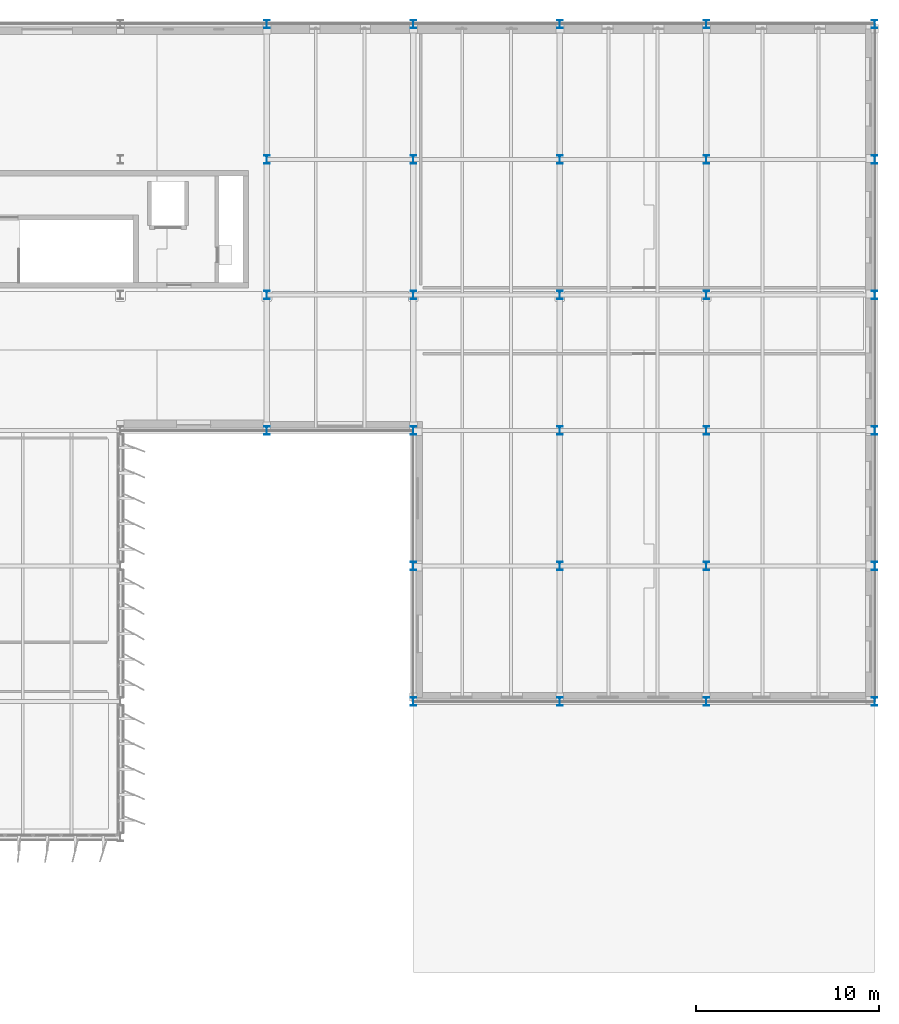
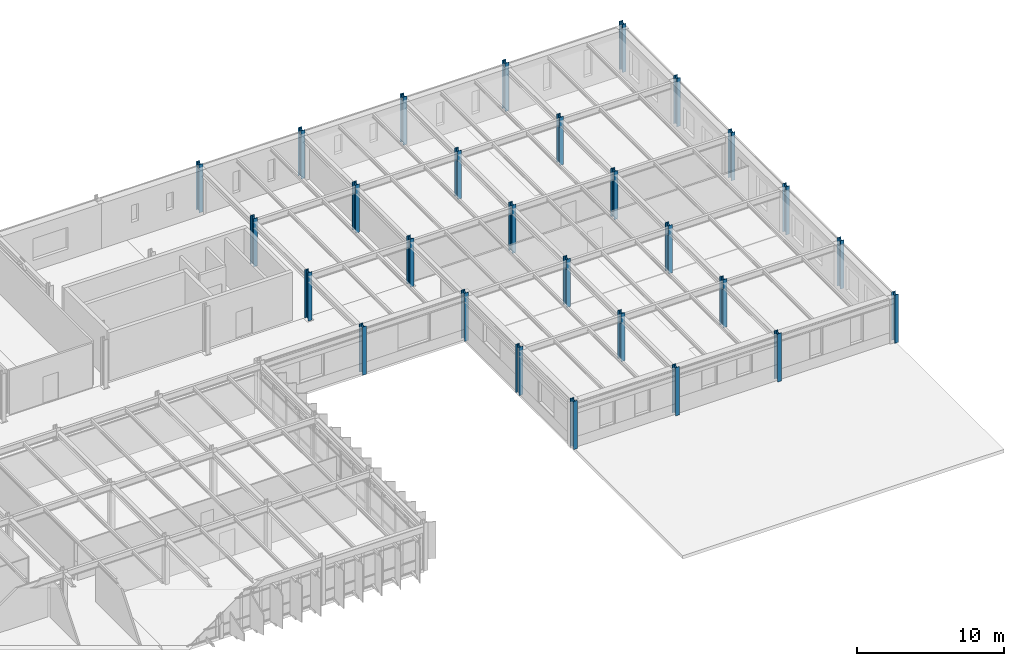
# One storey, part 8 of 56: 28 columns.
"""IFC4 building model written with IfcOpenShell, lengths in metres."""

from ifc_helpers import new_model, si_unit, direction, frame, origin, origin_2d, place, context, subcontext, project, spatial, i_section, extrude, material, material_profile, profile_set, type_object, element, save


model = new_model("IFC4")

# Units and contexts
model_context = context("Model", 3, precision=1e-05, world=origin(), true_north=direction((0.0, 1.0)))
body_context = subcontext(model_context, "Body", "Model", "MODEL_VIEW")
ifc_project = project(units=[si_unit("LENGTHUNIT", "METRE"), si_unit("AREAUNIT", "SQUARE_METRE"), si_unit("VOLUMEUNIT", "CUBIC_METRE"), si_unit("PLANEANGLEUNIT", "RADIAN"), si_unit("MASSUNIT", "GRAM", prefix="KILO")], contexts=[model_context])

# Site, building, storey
site_placement = place(None, origin())
site = spatial("IfcSite", under=ifc_project, at=site_placement, CompositionType="ELEMENT")
building_placement = place(site_placement, origin())
building = spatial("IfcBuilding", under=site, at=building_placement, Name="Valkorina Park Police Headquarters", CompositionType="ELEMENT")
storey_placement = place(building_placement, frame((0.0, 0.0, 14.10009765625)))
storey = spatial("IfcBuildingStorey", under=building, at=storey_placement, Name="L04", CompositionType="ELEMENT", Elevation=14.10009765625)

# Columns
ifc_material = material(Name="Steel S355", Category="steel")
ifc_material_profile_1 = material_profile(ifc_material, i_section(OverallWidth=0.300048828125, OverallDepth=0.449951171875, WebThickness=0.013916015625, FlangeThickness=0.02587890625, FilletRadius=0.027099609375, at=origin_2d()), Name="HEB 450")
ifc_profile_set_1 = profile_set([ifc_material_profile_1], Name="Steel S355")
column_type_1 = type_object("IfcColumnType", Name="COL-S355-HEB450-EXT", PredefinedType="COLUMN", material=ifc_profile_set_1)
for number, where, z_axis, x_axis, name in (
    (1, (128.800048828125, 59.199951171875, 0.0), (0.0, 0.0, 1.0), (1.0, 0.0, 0.0), "L04 Column 0928"),
    (2, (128.800048828125, 81.39990234375, 0.0), (0.0, 0.0, 1.0), (1.0, 0.0, 0.0), "L04 Column 0931"),
    (3, (136.800048828125, 44.39990234375, 0.0), (0.0, 0.0, 1.0), (1.0, 0.0, 0.0), "L04 Column 0932"),
    (4, (136.800048828125, 51.800048828125, 0.0), (0.0, 0.0, 1.0), (1.0, 0.0, 0.0), "L04 Column 0933"),
    (5, (136.800048828125, 59.199951171875, 0.0), (0.0, 0.0, 1.0), (1.0, 0.0, 0.0), "L04 Column 0934"),
    (6, (136.800048828125, 81.39990234375, 0.0), (0.0, 0.0, 1.0), (1.0, 0.0, 0.0), "L04 Column 0937"),
    (7, (144.800048828125, 44.39990234375, 0.0), (0.0, 0.0, 1.0), (1.0, 0.0, 0.0), "L04 Column 0938"),
    (8, (144.800048828125, 81.39990234375, 0.0), (0.0, 0.0, 1.0), (1.0, 0.0, 0.0), "L04 Column 0943"),
    (9, (152.800048828125, 44.39990234375, 0.0), (0.0, 0.0, 1.0), (1.0, 0.0, 0.0), "L04 Column 0944"),
    (10, (152.800048828125, 81.39990234375, 0.0), (0.0, 0.0, 1.0), (1.0, 0.0, 0.0), "L04 Column 0949"),
    (11, (162.0, 44.39990234375, 0.0), (0.0, 0.0, 1.0), (1.0, 0.0, 0.0), "L04 Column 0950"),
    (12, (162.0, 51.800048828125, 0.0), (0.0, 0.0, 1.0), (1.0, 0.0, 0.0), "L04 Column 0951"),
    (13, (162.0, 59.199951171875, 0.0), (0.0, 0.0, 1.0), (1.0, 0.0, 0.0), "L04 Column 0952"),
    (14, (162.0, 66.60009765625, 0.0), (0.0, 0.0, 1.0), (1.0, 0.0, 0.0), "L04 Column 0953"),
    (15, (162.0, 74.0, 0.0), (0.0, 0.0, 1.0), (1.0, 0.0, 0.0), "L04 Column 0954"),
    (16, (162.0, 81.39990234375, 0.0), (0.0, 0.0, 1.0), (1.0, 0.0, 0.0), "L04 Column 0955"),
):
    element("IfcColumn", number, at=place(storey_placement, frame(where, z_axis=z_axis, x_axis=x_axis)), inside=storey, type_object=column_type_1, Name=name, PredefinedType="COLUMN", context=body_context, shape_type="SweptSolid", body=[
        extrude(i_section(OverallWidth=0.300048828125, OverallDepth=0.449951171875, WebThickness=0.013916015625, FlangeThickness=0.02587890625, FilletRadius=0.027099609375, at=origin_2d()), origin(), (0.0, 0.0, 1.0), 4.0),
    ])
ifc_material_profile_2 = material_profile(ifc_material, i_section(OverallWidth=0.300048828125, OverallDepth=0.449951171875, WebThickness=0.013916015625, FlangeThickness=0.02587890625, FilletRadius=0.027099609375, at=origin_2d()), Name="HEB 450")
ifc_profile_set_2 = profile_set([ifc_material_profile_2], Name="Steel S355")
column_type_2 = type_object("IfcColumnType", Name="COL-S355-HEB450-INT", PredefinedType="COLUMN", material=ifc_profile_set_2)
for number, where, z_axis, x_axis, name in (
    (17, (128.800048828125, 66.60009765625, 0.0), (0.0, 0.0, 1.0), (1.0, 0.0, 0.0), "L04 Column 0929"),
    (18, (128.800048828125, 74.0, 0.0), (0.0, 0.0, 1.0), (1.0, 0.0, 0.0), "L04 Column 0930"),
    (19, (136.800048828125, 66.60009765625, 0.0), (0.0, 0.0, 1.0), (1.0, 0.0, 0.0), "L04 Column 0935"),
    (20, (136.800048828125, 74.0, 0.0), (0.0, 0.0, 1.0), (1.0, 0.0, 0.0), "L04 Column 0936"),
    (21, (144.800048828125, 51.800048828125, 0.0), (0.0, 0.0, 1.0), (1.0, 0.0, 0.0), "L04 Column 0939"),
    (22, (144.800048828125, 59.199951171875, 0.0), (0.0, 0.0, 1.0), (1.0, 0.0, 0.0), "L04 Column 0940"),
    (23, (144.800048828125, 66.60009765625, 0.0), (0.0, 0.0, 1.0), (1.0, 0.0, 0.0), "L04 Column 0941"),
    (24, (144.800048828125, 74.0, 0.0), (0.0, 0.0, 1.0), (1.0, 0.0, 0.0), "L04 Column 0942"),
    (25, (152.800048828125, 51.800048828125, 0.0), (0.0, 0.0, 1.0), (1.0, 0.0, 0.0), "L04 Column 0945"),
    (26, (152.800048828125, 59.199951171875, 0.0), (0.0, 0.0, 1.0), (1.0, 0.0, 0.0), "L04 Column 0946"),
    (27, (152.800048828125, 66.60009765625, 0.0), (0.0, 0.0, 1.0), (1.0, 0.0, 0.0), "L04 Column 0947"),
    (28, (152.800048828125, 74.0, 0.0), (0.0, 0.0, 1.0), (1.0, 0.0, 0.0), "L04 Column 0948"),
):
    element("IfcColumn", number, at=place(storey_placement, frame(where, z_axis=z_axis, x_axis=x_axis)), inside=storey, type_object=column_type_2, Name=name, PredefinedType="COLUMN", context=body_context, shape_type="SweptSolid", body=[
        extrude(i_section(OverallWidth=0.300048828125, OverallDepth=0.449951171875, WebThickness=0.013916015625, FlangeThickness=0.02587890625, FilletRadius=0.027099609375, at=origin_2d()), origin(), (0.0, 0.0, 1.0), 4.0),
    ])

save(model, "model.ifc")
